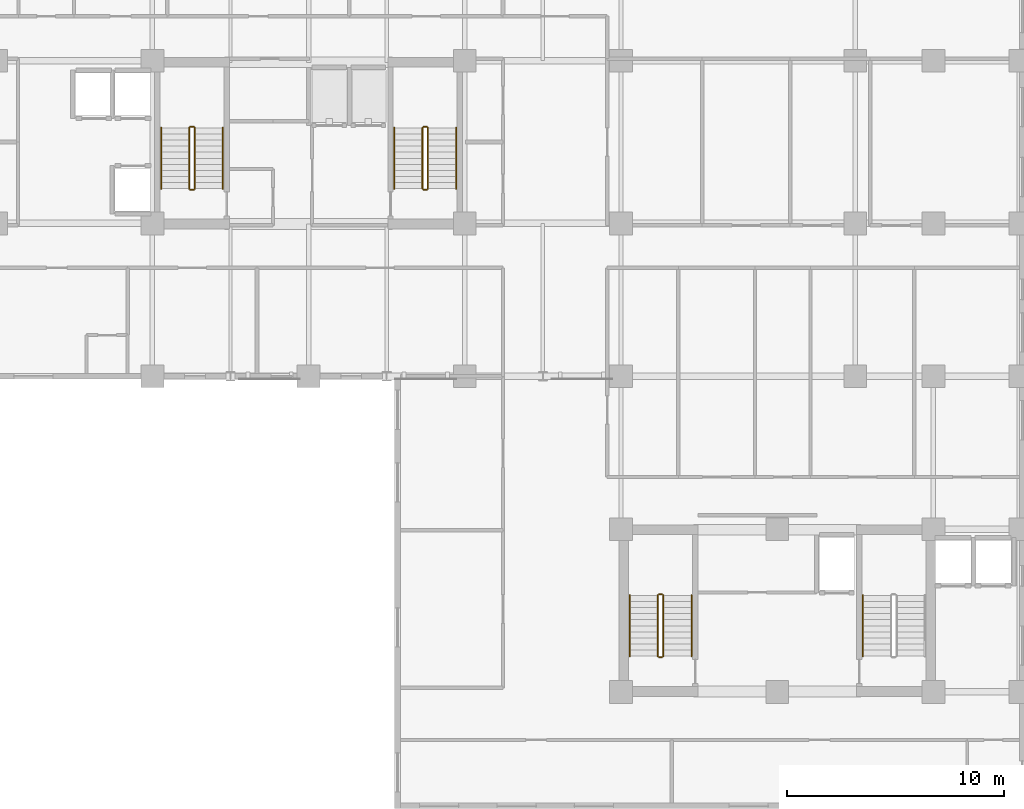
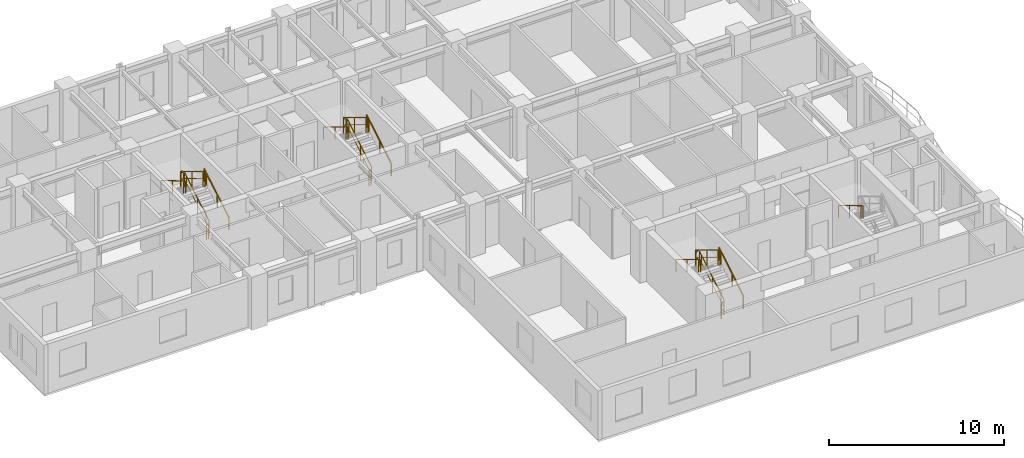
# One storey, part 11 of 14: 19 railings.
"""IFC4 building model written with IfcOpenShell, lengths in metres."""

from ifc_helpers import new_model, si_unit, direction, frame, origin, origin_2d, place, context, subcontext, project, spatial, rectangle, extrude, material, type_object, element, save


model = new_model("IFC4")

# Units and contexts
model_context = context("Model", 3, precision=1e-05, world=origin(), true_north=direction((0.0, 1.0)))
body_context = subcontext(model_context, "Body", "Model", "MODEL_VIEW")
ifc_project = project(units=[si_unit("LENGTHUNIT", "METRE"), si_unit("AREAUNIT", "SQUARE_METRE"), si_unit("VOLUMEUNIT", "CUBIC_METRE"), si_unit("PLANEANGLEUNIT", "RADIAN"), si_unit("MASSUNIT", "GRAM", prefix="KILO")], contexts=[model_context])

# Site, building, storey
site_placement = place(None, origin())
site = spatial("IfcSite", under=ifc_project, at=site_placement, CompositionType="ELEMENT")
building_placement = place(site_placement, origin())
building = spatial("IfcBuilding", under=site, at=building_placement, Name="Kaliganga Portal Commons", CompositionType="ELEMENT")
storey_placement = place(building_placement, frame((0.0, 0.0, 151.300048828125)))
storey = spatial("IfcBuildingStorey", under=building, at=storey_placement, Name="L38", CompositionType="ELEMENT", Elevation=151.300048828125)

# Railings
ifc_material_1 = material(Name="Galvanized Painted Steel Balustrade", Category="steel")
railing_type_1 = type_object("IfcRailingType", Name="RLG-STAIR-GRD", PredefinedType="GUARDRAIL", material=ifc_material_1)
railing_1_placement = place(storey_placement, frame((16.35009765625, 30.25, 0.168212890625)))
element("IfcRailing", 1, at=railing_1_placement, inside=storey, type_object=railing_type_1, Name="L38 ST-A1 stair guard 1", PredefinedType="GUARDRAIL", context=body_context, shape_type="SweptSolid", body=[
    extrude(rectangle(XDim=0.048095703125, YDim=0.048095703125, at=origin_2d()), frame((0.0, 0.0, 1.072021484375), z_axis=(0.0, 0.857275202839, 0.514858452973), x_axis=(-1.0, 0.0, 0.0)), (0.0, 0.0, 1.0), 3.26611328125),
    extrude(rectangle(XDim=0.028076171875, YDim=0.028076171875, at=origin_2d()), frame((0.0, 0.0, 0.572021484375), z_axis=(0.0, 0.857275202839, 0.514858452973), x_axis=(-1.0, 0.0, 0.0)), (0.0, 0.0, 1.0), 3.26611328125),
    extrude(rectangle(XDim=0.0419921875, YDim=0.0419921875, at=origin_2d()), origin(), (0.0, 0.0, 1.0), 1.052001953125),
    extrude(rectangle(XDim=0.0419921875, YDim=0.0419921875, at=origin_2d()), frame((0.0, 1.285888671875, 0.772216796875)), (0.0, 0.0, 1.0), 1.052001953125),
    extrude(rectangle(XDim=0.0419921875, YDim=0.0419921875, at=origin_2d()), frame((0.0, 2.57177734375, 1.544677734375)), (0.0, 0.0, 1.0), 1.052001953125),
    extrude(rectangle(XDim=0.0419921875, YDim=0.0419921875, at=origin_2d()), frame((0.0, 2.800048828125, 1.681640625)), (0.0, 0.0, 1.0), 1.052001953125),
])
railing_2_placement = place(storey_placement, frame((16.300048828125, 33.10009765625, 1.849853515625)))
element("IfcRailing", 2, at=railing_2_placement, inside=storey, type_object=railing_type_1, Name="L38 ST-A1 stair guard 2", PredefinedType="GUARDRAIL", context=body_context, shape_type="SweptSolid", body=[
    extrude(rectangle(XDim=0.048095703125, YDim=0.048095703125, at=origin_2d()), frame((0.0, 0.0, 1.076171875), z_axis=(-1.0, 0.0, 0.0), x_axis=(0.0, -1.0, 0.0)), (0.0, 0.0, 1.0), 0.150146484375),
    extrude(rectangle(XDim=0.028076171875, YDim=0.028076171875, at=origin_2d()), frame((0.0, 0.0, 0.572021484375), z_axis=(-1.0, 0.0, 0.0), x_axis=(0.0, -1.0, 0.0)), (0.0, 0.0, 1.0), 0.150146484375),
    extrude(rectangle(XDim=0.0419921875, YDim=0.0419921875, at=origin_2d()), origin(), (0.0, 0.0, 1.0), 1.052001953125),
    extrude(rectangle(XDim=0.0419921875, YDim=0.0419921875, at=origin_2d()), frame((-0.150146484375, 0.0, 0.0)), (0.0, 0.0, 1.0), 1.052001953125),
])
railing_3_placement = place(storey_placement, frame((16.10009765625, 33.050048828125, 2.01806640625)))
element("IfcRailing", 3, at=railing_3_placement, inside=storey, type_object=railing_type_1, Name="L38 ST-A1 stair guard 3", PredefinedType="GUARDRAIL", context=body_context, shape_type="SweptSolid", body=[
    extrude(rectangle(XDim=0.048095703125, YDim=0.048095703125, at=origin_2d()), frame((0.0, 0.0, 1.072021484375), z_axis=(0.0, -0.857242210791, 0.514913383045), x_axis=(1.0, 0.0, 0.0)), (0.0, 0.0, 1.0), 3.266357421875),
    extrude(rectangle(XDim=0.028076171875, YDim=0.028076171875, at=origin_2d()), frame((0.0, 0.0, 0.572021484375), z_axis=(0.0, -0.857242210791, 0.514913383045), x_axis=(1.0, 0.0, 0.0)), (0.0, 0.0, 1.0), 3.266357421875),
    extrude(rectangle(XDim=0.0419921875, YDim=0.0419921875, at=origin_2d()), origin(), (0.0, 0.0, 1.0), 1.052001953125),
    extrude(rectangle(XDim=0.0419921875, YDim=0.0419921875, at=origin_2d()), frame((0.0, -1.285888671875, 0.7724609375)), (0.0, 0.0, 1.0), 1.052001953125),
    extrude(rectangle(XDim=0.0419921875, YDim=0.0419921875, at=origin_2d()), frame((0.0, -2.57177734375, 1.544677734375)), (0.0, 0.0, 1.0), 1.052001953125),
    extrude(rectangle(XDim=0.0419921875, YDim=0.0419921875, at=origin_2d()), frame((0.0, -2.800048828125, 1.681884765625)), (0.0, 0.0, 1.0), 1.052001953125),
])
railing_4_placement = place(storey_placement, frame((16.300048828125, 30.199951171875, 0.0)))
element("IfcRailing", 4, at=railing_4_placement, inside=storey, type_object=railing_type_1, Name="L38 ST-A1 stair guard 4", PredefinedType="GUARDRAIL", context=body_context, shape_type="SweptSolid", body=[
    extrude(rectangle(XDim=0.048095703125, YDim=0.048095703125, at=origin_2d()), frame((0.0, 0.0, 1.076171875), z_axis=(-1.0, 0.0, 0.0), x_axis=(0.0, -1.0, 0.0)), (0.0, 0.0, 1.0), 0.150146484375),
    extrude(rectangle(XDim=0.028076171875, YDim=0.028076171875, at=origin_2d()), frame((0.0, 0.0, 0.572021484375), z_axis=(-1.0, 0.0, 0.0), x_axis=(0.0, -1.0, 0.0)), (0.0, 0.0, 1.0), 0.150146484375),
    extrude(rectangle(XDim=0.0419921875, YDim=0.0419921875, at=origin_2d()), origin(), (0.0, 0.0, 1.0), 1.052001953125),
    extrude(rectangle(XDim=0.0419921875, YDim=0.0419921875, at=origin_2d()), frame((-0.150146484375, 0.0, 0.0)), (0.0, 0.0, 1.0), 1.052001953125),
])
railing_5_placement = place(storey_placement, frame((27.10009765625, 30.25, 0.168212890625)))
element("IfcRailing", 5, at=railing_5_placement, inside=storey, type_object=railing_type_1, Name="L38 ST-A2 stair guard 1", PredefinedType="GUARDRAIL", context=body_context, shape_type="SweptSolid", body=[
    extrude(rectangle(XDim=0.048095703125, YDim=0.048095703125, at=origin_2d()), frame((0.0, 0.0, 1.072021484375), z_axis=(0.0, 0.857275202839, 0.514858452973), x_axis=(-1.0, 0.0, 0.0)), (0.0, 0.0, 1.0), 3.26611328125),
    extrude(rectangle(XDim=0.028076171875, YDim=0.028076171875, at=origin_2d()), frame((0.0, 0.0, 0.572021484375), z_axis=(0.0, 0.857275202839, 0.514858452973), x_axis=(-1.0, 0.0, 0.0)), (0.0, 0.0, 1.0), 3.26611328125),
    extrude(rectangle(XDim=0.0419921875, YDim=0.0419921875, at=origin_2d()), origin(), (0.0, 0.0, 1.0), 1.052001953125),
    extrude(rectangle(XDim=0.0419921875, YDim=0.0419921875, at=origin_2d()), frame((0.0, 1.285888671875, 0.772216796875)), (0.0, 0.0, 1.0), 1.052001953125),
    extrude(rectangle(XDim=0.0419921875, YDim=0.0419921875, at=origin_2d()), frame((0.0, 2.57177734375, 1.544677734375)), (0.0, 0.0, 1.0), 1.052001953125),
    extrude(rectangle(XDim=0.0419921875, YDim=0.0419921875, at=origin_2d()), frame((0.0, 2.800048828125, 1.681640625)), (0.0, 0.0, 1.0), 1.052001953125),
])
railing_6_placement = place(storey_placement, frame((27.050048828125, 33.10009765625, 1.849853515625)))
element("IfcRailing", 6, at=railing_6_placement, inside=storey, type_object=railing_type_1, Name="L38 ST-A2 stair guard 2", PredefinedType="GUARDRAIL", context=body_context, shape_type="SweptSolid", body=[
    extrude(rectangle(XDim=0.048095703125, YDim=0.048095703125, at=origin_2d()), frame((0.0, 0.0, 1.076171875), z_axis=(-1.0, 0.0, 0.0), x_axis=(0.0, -1.0, 0.0)), (0.0, 0.0, 1.0), 0.150146484375),
    extrude(rectangle(XDim=0.028076171875, YDim=0.028076171875, at=origin_2d()), frame((0.0, 0.0, 0.572021484375), z_axis=(-1.0, 0.0, 0.0), x_axis=(0.0, -1.0, 0.0)), (0.0, 0.0, 1.0), 0.150146484375),
    extrude(rectangle(XDim=0.0419921875, YDim=0.0419921875, at=origin_2d()), origin(), (0.0, 0.0, 1.0), 1.052001953125),
    extrude(rectangle(XDim=0.0419921875, YDim=0.0419921875, at=origin_2d()), frame((-0.150146484375, 0.0, 0.0)), (0.0, 0.0, 1.0), 1.052001953125),
])
railing_7_placement = place(storey_placement, frame((26.85009765625, 33.050048828125, 2.01806640625)))
element("IfcRailing", 7, at=railing_7_placement, inside=storey, type_object=railing_type_1, Name="L38 ST-A2 stair guard 3", PredefinedType="GUARDRAIL", context=body_context, shape_type="SweptSolid", body=[
    extrude(rectangle(XDim=0.048095703125, YDim=0.048095703125, at=origin_2d()), frame((0.0, 0.0, 1.072021484375), z_axis=(0.0, -0.857242210791, 0.514913383045), x_axis=(1.0, 0.0, 0.0)), (0.0, 0.0, 1.0), 3.266357421875),
    extrude(rectangle(XDim=0.028076171875, YDim=0.028076171875, at=origin_2d()), frame((0.0, 0.0, 0.572021484375), z_axis=(0.0, -0.857242210791, 0.514913383045), x_axis=(1.0, 0.0, 0.0)), (0.0, 0.0, 1.0), 3.266357421875),
    extrude(rectangle(XDim=0.0419921875, YDim=0.0419921875, at=origin_2d()), origin(), (0.0, 0.0, 1.0), 1.052001953125),
    extrude(rectangle(XDim=0.0419921875, YDim=0.0419921875, at=origin_2d()), frame((0.0, -1.285888671875, 0.7724609375)), (0.0, 0.0, 1.0), 1.052001953125),
    extrude(rectangle(XDim=0.0419921875, YDim=0.0419921875, at=origin_2d()), frame((0.0, -2.57177734375, 1.544677734375)), (0.0, 0.0, 1.0), 1.052001953125),
    extrude(rectangle(XDim=0.0419921875, YDim=0.0419921875, at=origin_2d()), frame((0.0, -2.800048828125, 1.681884765625)), (0.0, 0.0, 1.0), 1.052001953125),
])
railing_8_placement = place(storey_placement, frame((27.050048828125, 30.199951171875, 0.0)))
element("IfcRailing", 8, at=railing_8_placement, inside=storey, type_object=railing_type_1, Name="L38 ST-A2 stair guard 4", PredefinedType="GUARDRAIL", context=body_context, shape_type="SweptSolid", body=[
    extrude(rectangle(XDim=0.048095703125, YDim=0.048095703125, at=origin_2d()), frame((0.0, 0.0, 1.076171875), z_axis=(-1.0, 0.0, 0.0), x_axis=(0.0, -1.0, 0.0)), (0.0, 0.0, 1.0), 0.150146484375),
    extrude(rectangle(XDim=0.028076171875, YDim=0.028076171875, at=origin_2d()), frame((0.0, 0.0, 0.572021484375), z_axis=(-1.0, 0.0, 0.0), x_axis=(0.0, -1.0, 0.0)), (0.0, 0.0, 1.0), 0.150146484375),
    extrude(rectangle(XDim=0.0419921875, YDim=0.0419921875, at=origin_2d()), origin(), (0.0, 0.0, 1.0), 1.052001953125),
    extrude(rectangle(XDim=0.0419921875, YDim=0.0419921875, at=origin_2d()), frame((-0.150146484375, 0.0, 0.0)), (0.0, 0.0, 1.0), 1.052001953125),
])
railing_9_placement = place(storey_placement, frame((37.949951171875, 8.699951171875, 0.168212890625)))
element("IfcRailing", 9, at=railing_9_placement, inside=storey, type_object=railing_type_1, Name="L38 ST-B1 stair guard 1", PredefinedType="GUARDRAIL", context=body_context, shape_type="SweptSolid", body=[
    extrude(rectangle(XDim=0.048095703125, YDim=0.048095703125, at=origin_2d()), frame((0.0, 0.0, 1.072021484375), z_axis=(0.0, 0.857275202839, 0.514858452973), x_axis=(-1.0, 0.0, 0.0)), (0.0, 0.0, 1.0), 3.26611328125),
    extrude(rectangle(XDim=0.028076171875, YDim=0.028076171875, at=origin_2d()), frame((0.0, 0.0, 0.572021484375), z_axis=(0.0, 0.857275202839, 0.514858452973), x_axis=(-1.0, 0.0, 0.0)), (0.0, 0.0, 1.0), 3.26611328125),
    extrude(rectangle(XDim=0.0419921875, YDim=0.0419921875, at=origin_2d()), origin(), (0.0, 0.0, 1.0), 1.052001953125),
    extrude(rectangle(XDim=0.0419921875, YDim=0.0419921875, at=origin_2d()), frame((0.0, 1.285888671875, 0.772216796875)), (0.0, 0.0, 1.0), 1.052001953125),
    extrude(rectangle(XDim=0.0419921875, YDim=0.0419921875, at=origin_2d()), frame((0.0, 2.57177734375, 1.544677734375)), (0.0, 0.0, 1.0), 1.052001953125),
    extrude(rectangle(XDim=0.0419921875, YDim=0.0419921875, at=origin_2d()), frame((0.0, 2.800048828125, 1.681640625)), (0.0, 0.0, 1.0), 1.052001953125),
])
railing_10_placement = place(storey_placement, frame((37.89990234375, 11.550048828125, 1.849853515625)))
element("IfcRailing", 10, at=railing_10_placement, inside=storey, type_object=railing_type_1, Name="L38 ST-B1 stair guard 2", PredefinedType="GUARDRAIL", context=body_context, shape_type="SweptSolid", body=[
    extrude(rectangle(XDim=0.048095703125, YDim=0.048095703125, at=origin_2d()), frame((0.0, 0.0, 1.076171875), z_axis=(-1.0, 0.0, 0.0), x_axis=(0.0, -1.0, 0.0)), (0.0, 0.0, 1.0), 0.14990234375),
    extrude(rectangle(XDim=0.028076171875, YDim=0.028076171875, at=origin_2d()), frame((0.0, 0.0, 0.572021484375), z_axis=(-1.0, 0.0, 0.0), x_axis=(0.0, -1.0, 0.0)), (0.0, 0.0, 1.0), 0.14990234375),
    extrude(rectangle(XDim=0.0419921875, YDim=0.0419921875, at=origin_2d()), frame((-0.14990234375, 0.0, 0.0)), (0.0, 0.0, 1.0), 1.052001953125),
])
railing_11_placement = place(storey_placement, frame((37.699951171875, 11.5, 2.01806640625)))
element("IfcRailing", 11, at=railing_11_placement, inside=storey, type_object=railing_type_1, Name="L38 ST-B1 stair guard 3", PredefinedType="GUARDRAIL", context=body_context, shape_type="SweptSolid", body=[
    extrude(rectangle(XDim=0.048095703125, YDim=0.048095703125, at=origin_2d()), frame((0.0, 0.0, 1.072021484375), z_axis=(0.0, -0.857242210791, 0.514913383045), x_axis=(1.0, 0.0, 0.0)), (0.0, 0.0, 1.0), 3.266357421875),
    extrude(rectangle(XDim=0.028076171875, YDim=0.028076171875, at=origin_2d()), frame((0.0, 0.0, 0.572021484375), z_axis=(0.0, -0.857242210791, 0.514913383045), x_axis=(1.0, 0.0, 0.0)), (0.0, 0.0, 1.0), 3.266357421875),
    extrude(rectangle(XDim=0.0419921875, YDim=0.0419921875, at=origin_2d()), origin(), (0.0, 0.0, 1.0), 1.052001953125),
    extrude(rectangle(XDim=0.0419921875, YDim=0.0419921875, at=origin_2d()), frame((0.0, -1.285888671875, 0.7724609375)), (0.0, 0.0, 1.0), 1.052001953125),
    extrude(rectangle(XDim=0.0419921875, YDim=0.0419921875, at=origin_2d()), frame((0.0, -2.57177734375, 1.544677734375)), (0.0, 0.0, 1.0), 1.052001953125),
    extrude(rectangle(XDim=0.0419921875, YDim=0.0419921875, at=origin_2d()), frame((0.0, -2.800048828125, 1.681884765625)), (0.0, 0.0, 1.0), 1.052001953125),
])
railing_12_placement = place(storey_placement, frame((37.89990234375, 8.64990234375, 0.0)))
element("IfcRailing", 12, at=railing_12_placement, inside=storey, type_object=railing_type_1, Name="L38 ST-B1 stair guard 4", PredefinedType="GUARDRAIL", context=body_context, shape_type="SweptSolid", body=[
    extrude(rectangle(XDim=0.048095703125, YDim=0.048095703125, at=origin_2d()), frame((0.0, 0.0, 1.076171875), z_axis=(-1.0, 0.0, 0.0), x_axis=(0.0, -1.0, 0.0)), (0.0, 0.0, 1.0), 0.14990234375),
    extrude(rectangle(XDim=0.028076171875, YDim=0.028076171875, at=origin_2d()), frame((0.0, 0.0, 0.572021484375), z_axis=(-1.0, 0.0, 0.0), x_axis=(0.0, -1.0, 0.0)), (0.0, 0.0, 1.0), 0.14990234375),
    extrude(rectangle(XDim=0.0419921875, YDim=0.0419921875, at=origin_2d()), frame((-0.14990234375, 0.0, 0.0)), (0.0, 0.0, 1.0), 1.052001953125),
])
ifc_material_2 = material(Name="Brushed Stainless Steel 316", Category="steel")
railing_type_2 = type_object("IfcRailingType", Name="RLG-STAIR-HR", PredefinedType="HANDRAIL", material=ifc_material_2)
railing_13_placement = place(storey_placement, frame((17.64990234375, 30.25, 0.168212890625)))
element("IfcRailing", 13, at=railing_13_placement, inside=storey, type_object=railing_type_2, Name="L38 ST-A1 stair handrail 1", PredefinedType="HANDRAIL", context=body_context, shape_type="SweptSolid", body=[
    extrude(rectangle(XDim=0.048095703125, YDim=0.048095703125, at=origin_2d()), frame((0.0, 0.0, 0.871826171875), z_axis=(0.0, 0.857275202839, 0.514858452973), x_axis=(-1.0, 0.0, 0.0)), (0.0, 0.0, 1.0), 3.26611328125),
    extrude(rectangle(XDim=0.0419921875, YDim=0.0419921875, at=origin_2d()), origin(), (0.0, 0.0, 1.0), 0.851806640625),
    extrude(rectangle(XDim=0.0419921875, YDim=0.0419921875, at=origin_2d()), frame((0.0, 1.285888671875, 0.772216796875)), (0.0, 0.0, 1.0), 0.851806640625),
    extrude(rectangle(XDim=0.0419921875, YDim=0.0419921875, at=origin_2d()), frame((0.0, 2.57177734375, 1.544677734375)), (0.0, 0.0, 1.0), 0.851806640625),
    extrude(rectangle(XDim=0.0419921875, YDim=0.0419921875, at=origin_2d()), frame((0.0, 2.800048828125, 1.681640625)), (0.0, 0.0, 1.0), 0.851806640625),
])
railing_14_placement = place(storey_placement, frame((14.800048828125, 33.050048828125, 2.01806640625)))
element("IfcRailing", 14, at=railing_14_placement, inside=storey, type_object=railing_type_2, Name="L38 ST-A1 stair handrail 2", PredefinedType="HANDRAIL", context=body_context, shape_type="SweptSolid", body=[
    extrude(rectangle(XDim=0.048095703125, YDim=0.048095703125, at=origin_2d()), frame((0.0, 0.0, 0.871826171875), z_axis=(0.0, -0.857242210791, 0.514913383045), x_axis=(1.0, 0.0, 0.0)), (0.0, 0.0, 1.0), 3.266357421875),
    extrude(rectangle(XDim=0.0419921875, YDim=0.0419921875, at=origin_2d()), origin(), (0.0, 0.0, 1.0), 0.851806640625),
    extrude(rectangle(XDim=0.0419921875, YDim=0.0419921875, at=origin_2d()), frame((0.0, -1.285888671875, 0.7724609375)), (0.0, 0.0, 1.0), 0.851806640625),
    extrude(rectangle(XDim=0.0419921875, YDim=0.0419921875, at=origin_2d()), frame((0.0, -2.57177734375, 1.544677734375)), (0.0, 0.0, 1.0), 0.851806640625),
    extrude(rectangle(XDim=0.0419921875, YDim=0.0419921875, at=origin_2d()), frame((0.0, -2.800048828125, 1.681884765625)), (0.0, 0.0, 1.0), 0.851806640625),
])
railing_15_placement = place(storey_placement, frame((28.39990234375, 30.25, 0.168212890625)))
element("IfcRailing", 15, at=railing_15_placement, inside=storey, type_object=railing_type_2, Name="L38 ST-A2 stair handrail 1", PredefinedType="HANDRAIL", context=body_context, shape_type="SweptSolid", body=[
    extrude(rectangle(XDim=0.048095703125, YDim=0.048095703125, at=origin_2d()), frame((0.0, 0.0, 0.871826171875), z_axis=(0.0, 0.857275202839, 0.514858452973), x_axis=(-1.0, 0.0, 0.0)), (0.0, 0.0, 1.0), 3.26611328125),
    extrude(rectangle(XDim=0.0419921875, YDim=0.0419921875, at=origin_2d()), origin(), (0.0, 0.0, 1.0), 0.851806640625),
    extrude(rectangle(XDim=0.0419921875, YDim=0.0419921875, at=origin_2d()), frame((0.0, 1.285888671875, 0.772216796875)), (0.0, 0.0, 1.0), 0.851806640625),
    extrude(rectangle(XDim=0.0419921875, YDim=0.0419921875, at=origin_2d()), frame((0.0, 2.57177734375, 1.544677734375)), (0.0, 0.0, 1.0), 0.851806640625),
    extrude(rectangle(XDim=0.0419921875, YDim=0.0419921875, at=origin_2d()), frame((0.0, 2.800048828125, 1.681640625)), (0.0, 0.0, 1.0), 0.851806640625),
])
railing_16_placement = place(storey_placement, frame((25.550048828125, 33.050048828125, 2.01806640625)))
element("IfcRailing", 16, at=railing_16_placement, inside=storey, type_object=railing_type_2, Name="L38 ST-A2 stair handrail 2", PredefinedType="HANDRAIL", context=body_context, shape_type="SweptSolid", body=[
    extrude(rectangle(XDim=0.048095703125, YDim=0.048095703125, at=origin_2d()), frame((0.0, 0.0, 0.871826171875), z_axis=(0.0, -0.857242210791, 0.514913383045), x_axis=(1.0, 0.0, 0.0)), (0.0, 0.0, 1.0), 3.266357421875),
    extrude(rectangle(XDim=0.0419921875, YDim=0.0419921875, at=origin_2d()), origin(), (0.0, 0.0, 1.0), 0.851806640625),
    extrude(rectangle(XDim=0.0419921875, YDim=0.0419921875, at=origin_2d()), frame((0.0, -1.285888671875, 0.7724609375)), (0.0, 0.0, 1.0), 0.851806640625),
    extrude(rectangle(XDim=0.0419921875, YDim=0.0419921875, at=origin_2d()), frame((0.0, -2.57177734375, 1.544677734375)), (0.0, 0.0, 1.0), 0.851806640625),
    extrude(rectangle(XDim=0.0419921875, YDim=0.0419921875, at=origin_2d()), frame((0.0, -2.800048828125, 1.681884765625)), (0.0, 0.0, 1.0), 0.851806640625),
])
railing_17_placement = place(storey_placement, frame((39.25, 8.699951171875, 0.168212890625)))
element("IfcRailing", 17, at=railing_17_placement, inside=storey, type_object=railing_type_2, Name="L38 ST-B1 stair handrail 1", PredefinedType="HANDRAIL", context=body_context, shape_type="SweptSolid", body=[
    extrude(rectangle(XDim=0.048095703125, YDim=0.048095703125, at=origin_2d()), frame((0.0, 0.0, 0.871826171875), z_axis=(0.0, 0.857275202839, 0.514858452973), x_axis=(-1.0, 0.0, 0.0)), (0.0, 0.0, 1.0), 3.26611328125),
    extrude(rectangle(XDim=0.0419921875, YDim=0.0419921875, at=origin_2d()), origin(), (0.0, 0.0, 1.0), 0.851806640625),
    extrude(rectangle(XDim=0.0419921875, YDim=0.0419921875, at=origin_2d()), frame((0.0, 1.285888671875, 0.772216796875)), (0.0, 0.0, 1.0), 0.851806640625),
    extrude(rectangle(XDim=0.0419921875, YDim=0.0419921875, at=origin_2d()), frame((0.0, 2.57177734375, 1.544677734375)), (0.0, 0.0, 1.0), 0.851806640625),
    extrude(rectangle(XDim=0.0419921875, YDim=0.0419921875, at=origin_2d()), frame((0.0, 2.800048828125, 1.681640625)), (0.0, 0.0, 1.0), 0.851806640625),
])
for number, where, name in (
    (18, (36.39990234375, 11.5, 2.01806640625), "L38 ST-B1 stair handrail 2"),
    (19, (47.14990234375, 11.5, 2.01806640625), "L38 ST-B2 stair handrail 2"),
):
    element("IfcRailing", number, at=place(storey_placement, frame(where)), inside=storey, type_object=railing_type_2, Name=name, PredefinedType="HANDRAIL", context=body_context, shape_type="SweptSolid", body=[
        extrude(rectangle(XDim=0.048095703125, YDim=0.048095703125, at=origin_2d()), frame((0.0, 0.0, 0.871826171875), z_axis=(0.0, -0.857242210791, 0.514913383045), x_axis=(1.0, 0.0, 0.0)), (0.0, 0.0, 1.0), 3.266357421875),
        extrude(rectangle(XDim=0.0419921875, YDim=0.0419921875, at=origin_2d()), origin(), (0.0, 0.0, 1.0), 0.851806640625),
        extrude(rectangle(XDim=0.0419921875, YDim=0.0419921875, at=origin_2d()), frame((0.0, -1.285888671875, 0.7724609375)), (0.0, 0.0, 1.0), 0.851806640625),
        extrude(rectangle(XDim=0.0419921875, YDim=0.0419921875, at=origin_2d()), frame((0.0, -2.57177734375, 1.544677734375)), (0.0, 0.0, 1.0), 0.851806640625),
        extrude(rectangle(XDim=0.0419921875, YDim=0.0419921875, at=origin_2d()), frame((0.0, -2.800048828125, 1.681884765625)), (0.0, 0.0, 1.0), 0.851806640625),
    ])

save(model, "model.ifc")
